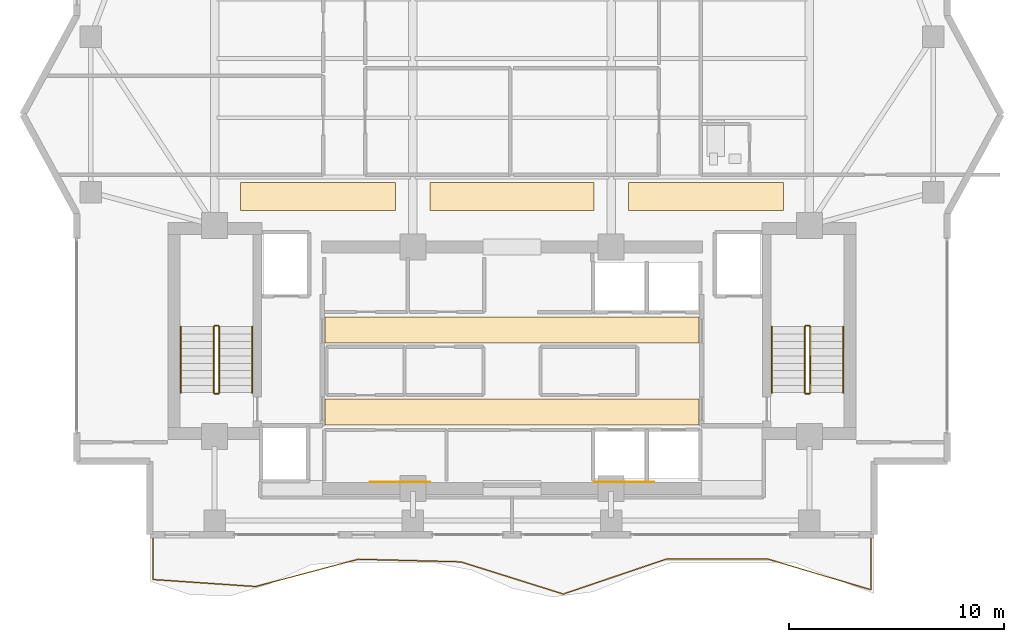
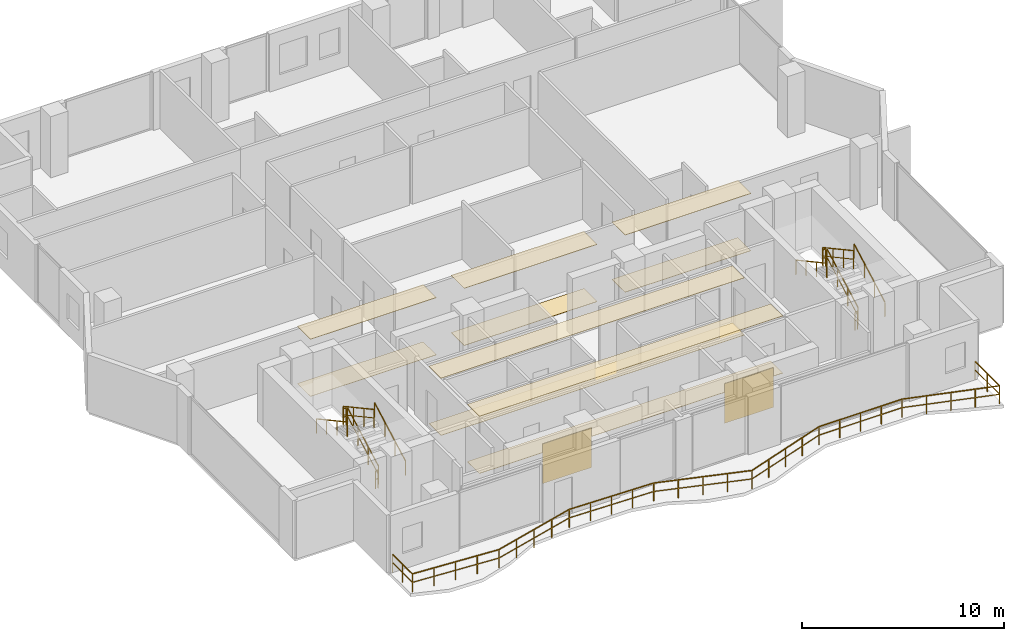
# One storey, part 21 of 23: 13 railings, 12 coverings.
"""IFC4 building model written with IfcOpenShell, lengths in metres."""

from ifc_helpers import new_model, si_unit, direction, frame, origin, origin_2d, place, context, subcontext, project, spatial, polyline, rectangle, outline, extrude, material, layer, layer_set, type_object, element, save


model = new_model("IFC4")

# Units and contexts
model_context = context("Model", 3, precision=1e-05, world=origin(), true_north=direction((0.0, 1.0)))
body_context = subcontext(model_context, "Body", "Model", "MODEL_VIEW")
ifc_project = project(units=[si_unit("LENGTHUNIT", "METRE"), si_unit("AREAUNIT", "SQUARE_METRE"), si_unit("VOLUMEUNIT", "CUBIC_METRE"), si_unit("PLANEANGLEUNIT", "RADIAN"), si_unit("MASSUNIT", "GRAM", prefix="KILO")], contexts=[model_context])

# Site, building, storey
site_placement = place(None, origin())
site = spatial("IfcSite", under=ifc_project, at=site_placement, CompositionType="ELEMENT")
building_placement = place(site_placement, origin())
building = spatial("IfcBuilding", under=site, at=building_placement, Name="Zuhayl Quay Hotel", CompositionType="ELEMENT")
storey_placement = place(building_placement, frame((0.0, 0.0, 265.550048828125)))
storey = spatial("IfcBuildingStorey", under=building, at=storey_placement, Name="L67", CompositionType="ELEMENT", Elevation=265.550048828125)

# Coverings
ifc_material_1 = material(Name="Acoustic Mineral-Fibre Gypsum Board")
ifc_layer_1 = layer(ifc_material_1, 0.02490234375, Name="Acoustic Mineral-Fibre Gypsum Board")
ifc_layer_set_1 = layer_set([ifc_layer_1], Name="Acoustic Mineral-Fibre Gypsum Board")
covering_type_1 = type_object("IfcCoveringType", Name="CV_CEIL_ACOUSTIC", PredefinedType="CEILING", material=ifc_layer_set_1)
covering_1_placement = place(storey_placement, frame((0.0, 0.0, 3.454833984375)))
element("IfcCovering", 1, at=covering_1_placement, inside=storey, type_object=covering_type_1, Name="L67 Suspended Acoustic Lobby Ceiling S", PredefinedType="CEILING", context=body_context, shape_type="SweptSolid", body=[
    extrude(outline(polyline([(-8.679931640625, 5.10009765625), (8.679931640625, 5.10009765625), (8.679931640625, 6.300048828125), (-8.679931640625, 6.300048828125), (-8.679931640625, 5.10009765625)])), origin(), (0.0, 0.0, 1.0), 0.025146484375),
])
covering_2_placement = place(storey_placement, frame((0.0, 0.0, 3.454833984375)))
element("IfcCovering", 2, at=covering_2_placement, inside=storey, type_object=covering_type_1, Name="L67 Suspended Acoustic Lobby Ceiling N", PredefinedType="CEILING", context=body_context, shape_type="SweptSolid", body=[
    extrude(outline(polyline([(-8.679931640625, 8.89990234375), (8.679931640625, 8.89990234375), (8.679931640625, 10.10009765625), (-8.679931640625, 10.10009765625), (-8.679931640625, 8.89990234375)])), origin(), (0.0, 0.0, 1.0), 0.025146484375),
])
covering_3_placement = place(storey_placement, frame((0.0, 0.0, 3.454833984375)))
element("IfcCovering", 3, at=covering_3_placement, inside=storey, type_object=covering_type_1, Name="L67 Guest Corridor Acoustic Ceiling CW", PredefinedType="CEILING", context=body_context, shape_type="SweptSolid", body=[
    extrude(outline(polyline([(-12.60009765625, 15.050048828125), (-5.39990234375, 15.050048828125), (-5.39990234375, 16.35009765625), (-12.60009765625, 16.35009765625), (-12.60009765625, 15.050048828125)])), origin(), (0.0, 0.0, 1.0), 0.025146484375),
])
covering_4_placement = place(storey_placement, frame((0.0, 0.0, 3.454833984375)))
element("IfcCovering", 4, at=covering_4_placement, inside=storey, type_object=covering_type_1, Name="L67 Guest Corridor Acoustic Ceiling CC", PredefinedType="CEILING", context=body_context, shape_type="SweptSolid", body=[
    extrude(outline(polyline([(-3.800048828125, 15.050048828125), (3.800048828125, 15.050048828125), (3.800048828125, 16.35009765625), (-3.800048828125, 16.35009765625), (-3.800048828125, 15.050048828125)])), origin(), (0.0, 0.0, 1.0), 0.025146484375),
])
covering_5_placement = place(storey_placement, frame((0.0, 0.0, 3.454833984375)))
element("IfcCovering", 5, at=covering_5_placement, inside=storey, type_object=covering_type_1, Name="L67 Guest Corridor Acoustic Ceiling CE", PredefinedType="CEILING", context=body_context, shape_type="SweptSolid", body=[
    extrude(outline(polyline([(5.39990234375, 15.050048828125), (12.60009765625, 15.050048828125), (12.60009765625, 16.35009765625), (5.39990234375, 16.35009765625), (5.39990234375, 15.050048828125)])), origin(), (0.0, 0.0, 1.0), 0.025146484375),
])
ifc_material_2 = material(Name="Polished Limestone Terrazzo", Category="masonry")
ifc_layer_2 = layer(ifc_material_2, 0.02001953125, Name="Polished Limestone Terrazzo", Category="masonry")
ifc_layer_set_2 = layer_set([ifc_layer_2], Name="Polished Limestone Terrazzo")
covering_type_2 = type_object("IfcCoveringType", Name="CV_FLOOR_TERRAZZO", PredefinedType="FLOORING", material=ifc_layer_set_2)
covering_6_placement = place(storey_placement, origin())
element("IfcCovering", 6, at=covering_6_placement, inside=storey, type_object=covering_type_2, Name="L67 Honed Limestone Terrazzo Lobby Flooring S", PredefinedType="FLOORING", context=body_context, shape_type="SweptSolid", body=[
    extrude(outline(polyline([(-8.679931640625, 5.10009765625), (8.679931640625, 5.10009765625), (8.679931640625, 6.300048828125), (-8.679931640625, 6.300048828125), (-8.679931640625, 5.10009765625)])), origin(), (0.0, 0.0, 1.0), 0.02001953125),
])
covering_7_placement = place(storey_placement, origin())
element("IfcCovering", 7, at=covering_7_placement, inside=storey, type_object=covering_type_2, Name="L67 Honed Limestone Terrazzo Lobby Flooring N", PredefinedType="FLOORING", context=body_context, shape_type="SweptSolid", body=[
    extrude(outline(polyline([(-8.679931640625, 8.89990234375), (8.679931640625, 8.89990234375), (8.679931640625, 10.10009765625), (-8.679931640625, 10.10009765625), (-8.679931640625, 8.89990234375)])), origin(), (0.0, 0.0, 1.0), 0.02001953125),
])
covering_8_placement = place(storey_placement, origin())
element("IfcCovering", 8, at=covering_8_placement, inside=storey, type_object=covering_type_2, Name="L67 Guest Corridor Terrazzo Runner CW", PredefinedType="FLOORING", context=body_context, shape_type="SweptSolid", body=[
    extrude(outline(polyline([(-12.60009765625, 15.050048828125), (-5.39990234375, 15.050048828125), (-5.39990234375, 16.35009765625), (-12.60009765625, 16.35009765625), (-12.60009765625, 15.050048828125)])), origin(), (0.0, 0.0, 1.0), 0.02001953125),
])
covering_9_placement = place(storey_placement, origin())
element("IfcCovering", 9, at=covering_9_placement, inside=storey, type_object=covering_type_2, Name="L67 Guest Corridor Terrazzo Runner CC", PredefinedType="FLOORING", context=body_context, shape_type="SweptSolid", body=[
    extrude(outline(polyline([(-3.800048828125, 15.050048828125), (3.800048828125, 15.050048828125), (3.800048828125, 16.35009765625), (-3.800048828125, 16.35009765625), (-3.800048828125, 15.050048828125)])), origin(), (0.0, 0.0, 1.0), 0.02001953125),
])
covering_10_placement = place(storey_placement, origin())
element("IfcCovering", 10, at=covering_10_placement, inside=storey, type_object=covering_type_2, Name="L67 Guest Corridor Terrazzo Runner CE", PredefinedType="FLOORING", context=body_context, shape_type="SweptSolid", body=[
    extrude(outline(polyline([(5.39990234375, 15.050048828125), (12.60009765625, 15.050048828125), (12.60009765625, 16.35009765625), (5.39990234375, 16.35009765625), (5.39990234375, 15.050048828125)])), origin(), (0.0, 0.0, 1.0), 0.02001953125),
])
ifc_material_3 = material(Name="Acoustic Walnut Feature Timber", Category="wood")
ifc_layer_3 = layer(ifc_material_3, 0.02197265625, Name="Acoustic Walnut Feature Timber", Category="wood")
ifc_layer_set_3 = layer_set([ifc_layer_3], Name="Acoustic Walnut Feature Timber")
covering_type_3 = type_object("IfcCoveringType", Name="CV_WALL_CLAD", PredefinedType="CLADDING", material=ifc_layer_set_3)
for number, where, z_axis, x_axis, name in (
    (11, (-5.199951171875, 2.43603515625, 0.300048828125), (0.0, 0.0, 1.0), (1.0, 0.0, 0.0), "L67 Feature Lobby Walnut Wall Cladding W"),
    (12, (5.199951171875, 2.43603515625, 0.300048828125), (0.0, 0.0, 1.0), (1.0, 0.0, 0.0), "L67 Feature Lobby Walnut Wall Cladding E"),
):
    element("IfcCovering", number, at=place(storey_placement, frame(where, z_axis=z_axis, x_axis=x_axis)), inside=storey, type_object=covering_type_3, Name=name, PredefinedType="CLADDING", context=body_context, shape_type="SweptSolid", body=[
        extrude(rectangle(XDim=2.800048828125, YDim=0.02197265625, at=origin_2d()), origin(), (0.0, 0.0, 1.0), 2.39990234375),
    ])

# Railings
ifc_material_4 = material(Name="Anodised Aluminium and Laminated Glass", Category="aluminium")
railing_type_1 = type_object("IfcRailingType", Name="RL_EXT_BAL_1100", PredefinedType="BALUSTRADE", material=ifc_material_4)
railing_1_placement = place(storey_placement, frame((-16.659912109375, -0.1201171875, 0.0)))
element("IfcRailing", 13, at=railing_1_placement, inside=storey, type_object=railing_type_1, Name="L67 Balcony and Terrace Guard GR_L67_BAL_S", PredefinedType="BALUSTRADE", context=body_context, shape_type="SweptSolid", body=[
    extrude(rectangle(XDim=0.048095703125, YDim=0.048095703125, at=origin_2d()), frame((0.0, 0.0, 1.09619140625), z_axis=(0.0, -1.0, 0.0), x_axis=(1.0, 0.0, 0.0)), (0.0, 0.0, 1.0), 1.960205078125),
    extrude(rectangle(XDim=0.0361328125, YDim=0.0361328125, at=origin_2d()), frame((0.0, 0.0, 0.58251953125), z_axis=(0.0, -1.0, 0.0), x_axis=(1.0, 0.0, 0.0)), (0.0, 0.0, 1.0), 1.960205078125),
    extrude(rectangle(XDim=0.048095703125, YDim=0.048095703125, at=origin_2d()), frame((0.0, -1.960205078125, 1.09619140625), z_axis=(0.997674449091, -0.068159325342, 0.0), x_axis=(0.068159325342, 0.997674449091, 0.0)), (0.0, 0.0, 1.0), 4.77099609375),
    extrude(rectangle(XDim=0.0361328125, YDim=0.0361328125, at=origin_2d()), frame((0.0, -1.960205078125, 0.58251953125), z_axis=(0.997674449091, -0.068159325342, 0.0), x_axis=(0.068159325342, 0.997674449091, 0.0)), (0.0, 0.0, 1.0), 4.77099609375),
    extrude(rectangle(XDim=0.048095703125, YDim=0.048095703125, at=origin_2d()), frame((4.760009765625, -2.285400390625, 1.09619140625), z_axis=(0.966422259416, 0.256959172837, 0.0), x_axis=(-0.256959172837, 0.966422259416, 0.0)), (0.0, 0.0, 1.0), 4.92529296875),
    extrude(rectangle(XDim=0.0361328125, YDim=0.0361328125, at=origin_2d()), frame((4.760009765625, -2.285400390625, 0.58251953125), z_axis=(0.966422259416, 0.256959172837, 0.0), x_axis=(-0.256959172837, 0.966422259416, 0.0)), (0.0, 0.0, 1.0), 4.92529296875),
    extrude(rectangle(XDim=0.048095703125, YDim=0.048095703125, at=origin_2d()), frame((9.52001953125, -1.019775390625, 1.09619140625), z_axis=(0.9996830499, -0.025175379674, 0.0), x_axis=(0.025175379674, 0.9996830499, 0.0)), (0.0, 0.0, 1.0), 4.761474609375),
    extrude(rectangle(XDim=0.0361328125, YDim=0.0361328125, at=origin_2d()), frame((9.52001953125, -1.019775390625, 0.58251953125), z_axis=(0.9996830499, -0.025175379674, 0.0), x_axis=(0.025175379674, 0.9996830499, 0.0)), (0.0, 0.0, 1.0), 4.761474609375),
    extrude(rectangle(XDim=0.048095703125, YDim=0.048095703125, at=origin_2d()), frame((14.280029296875, -1.1396484375, 1.09619140625), z_axis=(0.954082060765, -0.299545357711, 0.0), x_axis=(0.299545357711, 0.954082060765, 0.0)), (0.0, 0.0, 1.0), 4.98876953125),
    extrude(rectangle(XDim=0.0361328125, YDim=0.0361328125, at=origin_2d()), frame((14.280029296875, -1.1396484375, 0.58251953125), z_axis=(0.954082060765, -0.299545357711, 0.0), x_axis=(0.299545357711, 0.954082060765, 0.0)), (0.0, 0.0, 1.0), 4.98876953125),
    extrude(rectangle(XDim=0.048095703125, YDim=0.048095703125, at=origin_2d()), frame((19.039794921875, -2.634033203125, 1.09619140625), z_axis=(0.947023819089, 0.321163332401, 0.0), x_axis=(-0.321163332401, 0.947023819089, 0.0)), (0.0, 0.0, 1.0), 5.0263671875),
    extrude(rectangle(XDim=0.0361328125, YDim=0.0361328125, at=origin_2d()), frame((19.039794921875, -2.634033203125, 0.58251953125), z_axis=(0.947023819089, 0.321163332401, 0.0), x_axis=(-0.321163332401, 0.947023819089, 0.0)), (0.0, 0.0, 1.0), 5.0263671875),
    extrude(rectangle(XDim=0.048095703125, YDim=0.048095703125, at=origin_2d()), frame((23.7998046875, -1.019775390625, 1.09619140625), z_axis=(1.0, 0.0, 0.0), x_axis=(0.0, 1.0, 0.0)), (0.0, 0.0, 1.0), 4.760009765625),
    extrude(rectangle(XDim=0.0361328125, YDim=0.0361328125, at=origin_2d()), frame((23.7998046875, -1.019775390625, 0.58251953125), z_axis=(1.0, 0.0, 0.0), x_axis=(0.0, 1.0, 0.0)), (0.0, 0.0, 1.0), 4.760009765625),
    extrude(rectangle(XDim=0.048095703125, YDim=0.048095703125, at=origin_2d()), frame((28.559814453125, -1.019775390625, 1.09619140625), z_axis=(0.958447758302, -0.285268110039, 0.0), x_axis=(0.285268110039, 0.958447758302, 0.0)), (0.0, 0.0, 1.0), 4.96630859375),
    extrude(rectangle(XDim=0.0361328125, YDim=0.0361328125, at=origin_2d()), frame((28.559814453125, -1.019775390625, 0.58251953125), z_axis=(0.958447758302, -0.285268110039, 0.0), x_axis=(0.285268110039, 0.958447758302, 0.0)), (0.0, 0.0, 1.0), 4.96630859375),
    extrude(rectangle(XDim=0.048095703125, YDim=0.048095703125, at=origin_2d()), frame((33.31982421875, -2.4365234375, 1.09619140625), z_axis=(0.0, 1.0, 0.0), x_axis=(-1.0, 0.0, 0.0)), (0.0, 0.0, 1.0), 2.4365234375),
    extrude(rectangle(XDim=0.0361328125, YDim=0.0361328125, at=origin_2d()), frame((33.31982421875, -2.4365234375, 0.58251953125), z_axis=(0.0, 1.0, 0.0), x_axis=(-1.0, 0.0, 0.0)), (0.0, 0.0, 1.0), 2.4365234375),
    extrude(rectangle(XDim=0.0419921875, YDim=0.0419921875, at=origin_2d()), origin(), (0.0, 0.0, 1.0), 1.072021484375),
    extrude(rectangle(XDim=0.0419921875, YDim=0.0419921875, at=origin_2d()), frame((0.0, -0.97998046875, 0.0)), (0.0, 0.0, 1.0), 1.072021484375),
    extrude(rectangle(XDim=0.0419921875, YDim=0.0419921875, at=origin_2d()), frame((0.0, -1.960205078125, 0.0)), (0.0, 0.0, 1.0), 1.072021484375),
    extrude(rectangle(XDim=0.0419921875, YDim=0.0419921875, at=origin_2d()), frame((1.18994140625, -2.04150390625, 0.0)), (0.0, 0.0, 1.0), 1.072021484375),
    extrude(rectangle(XDim=0.0419921875, YDim=0.0419921875, at=origin_2d()), frame((2.3798828125, -2.122802734375, 0.0)), (0.0, 0.0, 1.0), 1.072021484375),
    extrude(rectangle(XDim=0.0419921875, YDim=0.0419921875, at=origin_2d()), frame((3.570068359375, -2.2041015625, 0.0)), (0.0, 0.0, 1.0), 1.072021484375),
    extrude(rectangle(XDim=0.0419921875, YDim=0.0419921875, at=origin_2d()), frame((4.760009765625, -2.285400390625, 0.0)), (0.0, 0.0, 1.0), 1.072021484375),
    extrude(rectangle(XDim=0.0419921875, YDim=0.0419921875, at=origin_2d()), frame((5.949951171875, -1.968994140625, 0.0)), (0.0, 0.0, 1.0), 1.072021484375),
    extrude(rectangle(XDim=0.0419921875, YDim=0.0419921875, at=origin_2d()), frame((7.14013671875, -1.652587890625, 0.0)), (0.0, 0.0, 1.0), 1.072021484375),
    extrude(rectangle(XDim=0.0419921875, YDim=0.0419921875, at=origin_2d()), frame((8.330078125, -1.336181640625, 0.0)), (0.0, 0.0, 1.0), 1.072021484375),
    extrude(rectangle(XDim=0.0419921875, YDim=0.0419921875, at=origin_2d()), frame((9.52001953125, -1.019775390625, 0.0)), (0.0, 0.0, 1.0), 1.072021484375),
    extrude(rectangle(XDim=0.0419921875, YDim=0.0419921875, at=origin_2d()), frame((10.7099609375, -1.0498046875, 0.0)), (0.0, 0.0, 1.0), 1.072021484375),
    extrude(rectangle(XDim=0.0419921875, YDim=0.0419921875, at=origin_2d()), frame((11.89990234375, -1.07958984375, 0.0)), (0.0, 0.0, 1.0), 1.072021484375),
    extrude(rectangle(XDim=0.0419921875, YDim=0.0419921875, at=origin_2d()), frame((13.090087890625, -1.109619140625, 0.0)), (0.0, 0.0, 1.0), 1.072021484375),
    extrude(rectangle(XDim=0.0419921875, YDim=0.0419921875, at=origin_2d()), frame((14.280029296875, -1.1396484375, 0.0)), (0.0, 0.0, 1.0), 1.072021484375),
    extrude(rectangle(XDim=0.0419921875, YDim=0.0419921875, at=origin_2d()), frame((15.469970703125, -1.51318359375, 0.0)), (0.0, 0.0, 1.0), 1.072021484375),
    extrude(rectangle(XDim=0.0419921875, YDim=0.0419921875, at=origin_2d()), frame((16.659912109375, -1.88671875, 0.0)), (0.0, 0.0, 1.0), 1.072021484375),
    extrude(rectangle(XDim=0.0419921875, YDim=0.0419921875, at=origin_2d()), frame((17.849853515625, -2.260498046875, 0.0)), (0.0, 0.0, 1.0), 1.072021484375),
    extrude(rectangle(XDim=0.0419921875, YDim=0.0419921875, at=origin_2d()), frame((19.039794921875, -2.634033203125, 0.0)), (0.0, 0.0, 1.0), 1.072021484375),
    extrude(rectangle(XDim=0.0419921875, YDim=0.0419921875, at=origin_2d()), frame((20.229736328125, -2.23046875, 0.0)), (0.0, 0.0, 1.0), 1.072021484375),
    extrude(rectangle(XDim=0.0419921875, YDim=0.0419921875, at=origin_2d()), frame((21.419921875, -1.826904296875, 0.0)), (0.0, 0.0, 1.0), 1.072021484375),
    extrude(rectangle(XDim=0.0419921875, YDim=0.0419921875, at=origin_2d()), frame((22.60986328125, -1.42333984375, 0.0)), (0.0, 0.0, 1.0), 1.072021484375),
    extrude(rectangle(XDim=0.0419921875, YDim=0.0419921875, at=origin_2d()), frame((23.7998046875, -1.019775390625, 0.0)), (0.0, 0.0, 1.0), 1.072021484375),
    extrude(rectangle(XDim=0.0419921875, YDim=0.0419921875, at=origin_2d()), frame((24.98974609375, -1.019775390625, 0.0)), (0.0, 0.0, 1.0), 1.072021484375),
    extrude(rectangle(XDim=0.0419921875, YDim=0.0419921875, at=origin_2d()), frame((26.1796875, -1.019775390625, 0.0)), (0.0, 0.0, 1.0), 1.072021484375),
    extrude(rectangle(XDim=0.0419921875, YDim=0.0419921875, at=origin_2d()), frame((27.369873046875, -1.019775390625, 0.0)), (0.0, 0.0, 1.0), 1.072021484375),
    extrude(rectangle(XDim=0.0419921875, YDim=0.0419921875, at=origin_2d()), frame((28.559814453125, -1.019775390625, 0.0)), (0.0, 0.0, 1.0), 1.072021484375),
    extrude(rectangle(XDim=0.0419921875, YDim=0.0419921875, at=origin_2d()), frame((29.749755859375, -1.3740234375, 0.0)), (0.0, 0.0, 1.0), 1.072021484375),
    extrude(rectangle(XDim=0.0419921875, YDim=0.0419921875, at=origin_2d()), frame((30.93994140625, -1.72802734375, 0.0)), (0.0, 0.0, 1.0), 1.072021484375),
    extrude(rectangle(XDim=0.0419921875, YDim=0.0419921875, at=origin_2d()), frame((32.1298828125, -2.082275390625, 0.0)), (0.0, 0.0, 1.0), 1.072021484375),
    extrude(rectangle(XDim=0.0419921875, YDim=0.0419921875, at=origin_2d()), frame((33.31982421875, -2.4365234375, 0.0)), (0.0, 0.0, 1.0), 1.072021484375),
    extrude(rectangle(XDim=0.0419921875, YDim=0.0419921875, at=origin_2d()), frame((33.31982421875, -1.21826171875, 0.0)), (0.0, 0.0, 1.0), 1.072021484375),
    extrude(rectangle(XDim=0.0419921875, YDim=0.0419921875, at=origin_2d()), frame((33.31982421875, 0.0, 0.0)), (0.0, 0.0, 1.0), 1.072021484375),
])
ifc_material_5 = material(Name="Steel ASTM A992 Grade 50", Category="steel")
railing_type_2 = type_object("IfcRailingType", Name="RL_GUARD_1100", PredefinedType="GUARDRAIL", material=ifc_material_5)
railing_2_placement = place(storey_placement, frame((-13.590087890625, 6.590087890625, 0.18505859375)))
element("IfcRailing", 14, at=railing_2_placement, inside=storey, type_object=railing_type_2, Name="L67 ST1 stair guard 1", PredefinedType="GUARDRAIL", context=body_context, shape_type="SweptSolid", body=[
    extrude(rectangle(XDim=0.048095703125, YDim=0.048095703125, at=origin_2d()), frame((0.0, 0.0, 1.09619140625), z_axis=(0.0, 0.878401316366, 0.477923767358), x_axis=(-1.0, 0.0, 0.0)), (0.0, 0.0, 1.0), 3.4833984375),
    extrude(rectangle(XDim=0.0361328125, YDim=0.0361328125, at=origin_2d()), frame((0.0, 0.0, 0.58251953125), z_axis=(0.0, 0.878401316366, 0.477923767358), x_axis=(-1.0, 0.0, 0.0)), (0.0, 0.0, 1.0), 3.4833984375),
    extrude(rectangle(XDim=0.0419921875, YDim=0.0419921875, at=origin_2d()), origin(), (0.0, 0.0, 1.0), 1.072021484375),
    extrude(rectangle(XDim=0.0419921875, YDim=0.0419921875, at=origin_2d()), frame((0.0, 1.02001953125, 0.554931640625)), (0.0, 0.0, 1.0), 1.072021484375),
    extrude(rectangle(XDim=0.0419921875, YDim=0.0419921875, at=origin_2d()), frame((0.0, 2.039794921875, 1.10986328125)), (0.0, 0.0, 1.0), 1.072021484375),
    extrude(rectangle(XDim=0.0419921875, YDim=0.0419921875, at=origin_2d()), frame((0.0, 3.059814453125, 1.664794921875)), (0.0, 0.0, 1.0), 1.072021484375),
])
railing_3_placement = place(storey_placement, frame((-13.639892578125, 9.699951171875, 1.849853515625)))
element("IfcRailing", 15, at=railing_3_placement, inside=storey, type_object=railing_type_2, Name="L67 ST1 stair guard 2", PredefinedType="GUARDRAIL", context=body_context, shape_type="SweptSolid", body=[
    extrude(rectangle(XDim=0.048095703125, YDim=0.048095703125, at=origin_2d()), frame((0.0, 0.0, 1.09619140625), z_axis=(-1.0, 0.0, 0.0), x_axis=(0.0, -1.0, 0.0)), (0.0, 0.0, 1.0), 0.150146484375),
    extrude(rectangle(XDim=0.0361328125, YDim=0.0361328125, at=origin_2d()), frame((0.0, 0.0, 0.58251953125), z_axis=(-1.0, 0.0, 0.0), x_axis=(0.0, -1.0, 0.0)), (0.0, 0.0, 1.0), 0.150146484375),
    extrude(rectangle(XDim=0.0419921875, YDim=0.0419921875, at=origin_2d()), origin(), (0.0, 0.0, 1.0), 1.072021484375),
    extrude(rectangle(XDim=0.0419921875, YDim=0.0419921875, at=origin_2d()), frame((-0.150146484375, 0.0, 0.0)), (0.0, 0.0, 1.0), 1.072021484375),
])
railing_4_placement = place(storey_placement, frame((-13.840087890625, 9.64990234375, 2.034912109375)))
element("IfcRailing", 16, at=railing_4_placement, inside=storey, type_object=railing_type_2, Name="L67 ST1 stair guard 3", PredefinedType="GUARDRAIL", context=body_context, shape_type="SweptSolid", body=[
    extrude(rectangle(XDim=0.048095703125, YDim=0.048095703125, at=origin_2d()), frame((0.0, 0.0, 1.09619140625), z_axis=(0.0, -0.878371892512, 0.477977843049), x_axis=(1.0, 0.0, 0.0)), (0.0, 0.0, 1.0), 3.4833984375),
    extrude(rectangle(XDim=0.0361328125, YDim=0.0361328125, at=origin_2d()), frame((0.0, 0.0, 0.58251953125), z_axis=(0.0, -0.878371892512, 0.477977843049), x_axis=(1.0, 0.0, 0.0)), (0.0, 0.0, 1.0), 3.4833984375),
    extrude(rectangle(XDim=0.0419921875, YDim=0.0419921875, at=origin_2d()), origin(), (0.0, 0.0, 1.0), 1.072021484375),
    extrude(rectangle(XDim=0.0419921875, YDim=0.0419921875, at=origin_2d()), frame((0.0, -1.02001953125, 0.554931640625)), (0.0, 0.0, 1.0), 1.072021484375),
    extrude(rectangle(XDim=0.0419921875, YDim=0.0419921875, at=origin_2d()), frame((0.0, -2.039794921875, 1.110107421875)), (0.0, 0.0, 1.0), 1.072021484375),
    extrude(rectangle(XDim=0.0419921875, YDim=0.0419921875, at=origin_2d()), frame((0.0, -3.059814453125, 1.6650390625)), (0.0, 0.0, 1.0), 1.072021484375),
])
railing_5_placement = place(storey_placement, frame((-13.639892578125, 6.5400390625, 0.0)))
element("IfcRailing", 17, at=railing_5_placement, inside=storey, type_object=railing_type_2, Name="L67 ST1 stair guard 4", PredefinedType="GUARDRAIL", context=body_context, shape_type="SweptSolid", body=[
    extrude(rectangle(XDim=0.048095703125, YDim=0.048095703125, at=origin_2d()), frame((0.0, 0.0, 1.09619140625), z_axis=(-1.0, 0.0, 0.0), x_axis=(0.0, -1.0, 0.0)), (0.0, 0.0, 1.0), 0.150146484375),
    extrude(rectangle(XDim=0.0361328125, YDim=0.0361328125, at=origin_2d()), frame((0.0, 0.0, 0.58251953125), z_axis=(-1.0, 0.0, 0.0), x_axis=(0.0, -1.0, 0.0)), (0.0, 0.0, 1.0), 0.150146484375),
    extrude(rectangle(XDim=0.0419921875, YDim=0.0419921875, at=origin_2d()), origin(), (0.0, 0.0, 1.0), 1.072021484375),
    extrude(rectangle(XDim=0.0419921875, YDim=0.0419921875, at=origin_2d()), frame((-0.150146484375, 0.0, 0.0)), (0.0, 0.0, 1.0), 1.072021484375),
])
railing_6_placement = place(storey_placement, frame((13.840087890625, 6.590087890625, 0.18505859375)))
element("IfcRailing", 18, at=railing_6_placement, inside=storey, type_object=railing_type_2, Name="L67 ST2 stair guard 1", PredefinedType="GUARDRAIL", context=body_context, shape_type="SweptSolid", body=[
    extrude(rectangle(XDim=0.048095703125, YDim=0.048095703125, at=origin_2d()), frame((0.0, 0.0, 1.09619140625), z_axis=(0.0, 0.878401316366, 0.477923767358), x_axis=(-1.0, 0.0, 0.0)), (0.0, 0.0, 1.0), 3.4833984375),
    extrude(rectangle(XDim=0.0361328125, YDim=0.0361328125, at=origin_2d()), frame((0.0, 0.0, 0.58251953125), z_axis=(0.0, 0.878401316366, 0.477923767358), x_axis=(-1.0, 0.0, 0.0)), (0.0, 0.0, 1.0), 3.4833984375),
    extrude(rectangle(XDim=0.0419921875, YDim=0.0419921875, at=origin_2d()), origin(), (0.0, 0.0, 1.0), 1.072021484375),
    extrude(rectangle(XDim=0.0419921875, YDim=0.0419921875, at=origin_2d()), frame((0.0, 1.02001953125, 0.554931640625)), (0.0, 0.0, 1.0), 1.072021484375),
    extrude(rectangle(XDim=0.0419921875, YDim=0.0419921875, at=origin_2d()), frame((0.0, 2.039794921875, 1.10986328125)), (0.0, 0.0, 1.0), 1.072021484375),
    extrude(rectangle(XDim=0.0419921875, YDim=0.0419921875, at=origin_2d()), frame((0.0, 3.059814453125, 1.664794921875)), (0.0, 0.0, 1.0), 1.072021484375),
])
railing_7_placement = place(storey_placement, frame((13.7900390625, 9.699951171875, 1.849853515625)))
element("IfcRailing", 19, at=railing_7_placement, inside=storey, type_object=railing_type_2, Name="L67 ST2 stair guard 2", PredefinedType="GUARDRAIL", context=body_context, shape_type="SweptSolid", body=[
    extrude(rectangle(XDim=0.048095703125, YDim=0.048095703125, at=origin_2d()), frame((0.0, 0.0, 1.09619140625), z_axis=(-1.0, 0.0, 0.0), x_axis=(0.0, -1.0, 0.0)), (0.0, 0.0, 1.0), 0.150146484375),
    extrude(rectangle(XDim=0.0361328125, YDim=0.0361328125, at=origin_2d()), frame((0.0, 0.0, 0.58251953125), z_axis=(-1.0, 0.0, 0.0), x_axis=(0.0, -1.0, 0.0)), (0.0, 0.0, 1.0), 0.150146484375),
    extrude(rectangle(XDim=0.0419921875, YDim=0.0419921875, at=origin_2d()), origin(), (0.0, 0.0, 1.0), 1.072021484375),
    extrude(rectangle(XDim=0.0419921875, YDim=0.0419921875, at=origin_2d()), frame((-0.150146484375, 0.0, 0.0)), (0.0, 0.0, 1.0), 1.072021484375),
])
railing_8_placement = place(storey_placement, frame((13.590087890625, 9.64990234375, 2.034912109375)))
element("IfcRailing", 20, at=railing_8_placement, inside=storey, type_object=railing_type_2, Name="L67 ST2 stair guard 3", PredefinedType="GUARDRAIL", context=body_context, shape_type="SweptSolid", body=[
    extrude(rectangle(XDim=0.048095703125, YDim=0.048095703125, at=origin_2d()), frame((0.0, 0.0, 1.09619140625), z_axis=(0.0, -0.878371892512, 0.477977843049), x_axis=(1.0, 0.0, 0.0)), (0.0, 0.0, 1.0), 3.4833984375),
    extrude(rectangle(XDim=0.0361328125, YDim=0.0361328125, at=origin_2d()), frame((0.0, 0.0, 0.58251953125), z_axis=(0.0, -0.878371892512, 0.477977843049), x_axis=(1.0, 0.0, 0.0)), (0.0, 0.0, 1.0), 3.4833984375),
    extrude(rectangle(XDim=0.0419921875, YDim=0.0419921875, at=origin_2d()), origin(), (0.0, 0.0, 1.0), 1.072021484375),
    extrude(rectangle(XDim=0.0419921875, YDim=0.0419921875, at=origin_2d()), frame((0.0, -1.02001953125, 0.554931640625)), (0.0, 0.0, 1.0), 1.072021484375),
    extrude(rectangle(XDim=0.0419921875, YDim=0.0419921875, at=origin_2d()), frame((0.0, -2.039794921875, 1.110107421875)), (0.0, 0.0, 1.0), 1.072021484375),
    extrude(rectangle(XDim=0.0419921875, YDim=0.0419921875, at=origin_2d()), frame((0.0, -3.059814453125, 1.6650390625)), (0.0, 0.0, 1.0), 1.072021484375),
])
railing_9_placement = place(storey_placement, frame((13.7900390625, 6.5400390625, 0.0)))
element("IfcRailing", 21, at=railing_9_placement, inside=storey, type_object=railing_type_2, Name="L67 ST2 stair guard 4", PredefinedType="GUARDRAIL", context=body_context, shape_type="SweptSolid", body=[
    extrude(rectangle(XDim=0.048095703125, YDim=0.048095703125, at=origin_2d()), frame((0.0, 0.0, 1.09619140625), z_axis=(-1.0, 0.0, 0.0), x_axis=(0.0, -1.0, 0.0)), (0.0, 0.0, 1.0), 0.150146484375),
    extrude(rectangle(XDim=0.0361328125, YDim=0.0361328125, at=origin_2d()), frame((0.0, 0.0, 0.58251953125), z_axis=(-1.0, 0.0, 0.0), x_axis=(0.0, -1.0, 0.0)), (0.0, 0.0, 1.0), 0.150146484375),
    extrude(rectangle(XDim=0.0419921875, YDim=0.0419921875, at=origin_2d()), origin(), (0.0, 0.0, 1.0), 1.072021484375),
    extrude(rectangle(XDim=0.0419921875, YDim=0.0419921875, at=origin_2d()), frame((-0.150146484375, 0.0, 0.0)), (0.0, 0.0, 1.0), 1.072021484375),
])
railing_type_3 = type_object("IfcRailingType", Name="RL_HANDRAIL_920", PredefinedType="HANDRAIL", material=ifc_material_5)
railing_10_placement = place(storey_placement, frame((-12.050048828125, 6.590087890625, 0.18505859375)))
element("IfcRailing", 22, at=railing_10_placement, inside=storey, type_object=railing_type_3, Name="L67 ST1 stair handrail 1", PredefinedType="HANDRAIL", context=body_context, shape_type="SweptSolid", body=[
    extrude(rectangle(XDim=0.048095703125, YDim=0.048095703125, at=origin_2d()), frame((0.0, 0.0, 0.8759765625), z_axis=(0.0, 0.878401316366, 0.477923767358), x_axis=(-1.0, 0.0, 0.0)), (0.0, 0.0, 1.0), 3.4833984375),
    extrude(rectangle(XDim=0.0419921875, YDim=0.0419921875, at=origin_2d()), origin(), (0.0, 0.0, 1.0), 0.851806640625),
    extrude(rectangle(XDim=0.0419921875, YDim=0.0419921875, at=origin_2d()), frame((0.0, 1.02001953125, 0.554931640625)), (0.0, 0.0, 1.0), 0.851806640625),
    extrude(rectangle(XDim=0.0419921875, YDim=0.0419921875, at=origin_2d()), frame((0.0, 2.039794921875, 1.10986328125)), (0.0, 0.0, 1.0), 0.851806640625),
    extrude(rectangle(XDim=0.0419921875, YDim=0.0419921875, at=origin_2d()), frame((0.0, 3.059814453125, 1.664794921875)), (0.0, 0.0, 1.0), 0.851806640625),
])
railing_11_placement = place(storey_placement, frame((-15.3798828125, 9.64990234375, 2.034912109375)))
element("IfcRailing", 23, at=railing_11_placement, inside=storey, type_object=railing_type_3, Name="L67 ST1 stair handrail 2", PredefinedType="HANDRAIL", context=body_context, shape_type="SweptSolid", body=[
    extrude(rectangle(XDim=0.048095703125, YDim=0.048095703125, at=origin_2d()), frame((0.0, 0.0, 0.8759765625), z_axis=(0.0, -0.878371892512, 0.477977843049), x_axis=(1.0, 0.0, 0.0)), (0.0, 0.0, 1.0), 3.4833984375),
    extrude(rectangle(XDim=0.0419921875, YDim=0.0419921875, at=origin_2d()), origin(), (0.0, 0.0, 1.0), 0.851806640625),
    extrude(rectangle(XDim=0.0419921875, YDim=0.0419921875, at=origin_2d()), frame((0.0, -1.02001953125, 0.554931640625)), (0.0, 0.0, 1.0), 0.851806640625),
    extrude(rectangle(XDim=0.0419921875, YDim=0.0419921875, at=origin_2d()), frame((0.0, -2.039794921875, 1.110107421875)), (0.0, 0.0, 1.0), 0.851806640625),
    extrude(rectangle(XDim=0.0419921875, YDim=0.0419921875, at=origin_2d()), frame((0.0, -3.059814453125, 1.6650390625)), (0.0, 0.0, 1.0), 0.851806640625),
])
railing_12_placement = place(storey_placement, frame((15.3798828125, 6.590087890625, 0.18505859375)))
element("IfcRailing", 24, at=railing_12_placement, inside=storey, type_object=railing_type_3, Name="L67 ST2 stair handrail 1", PredefinedType="HANDRAIL", context=body_context, shape_type="SweptSolid", body=[
    extrude(rectangle(XDim=0.048095703125, YDim=0.048095703125, at=origin_2d()), frame((0.0, 0.0, 0.8759765625), z_axis=(0.0, 0.878401316366, 0.477923767358), x_axis=(-1.0, 0.0, 0.0)), (0.0, 0.0, 1.0), 3.4833984375),
    extrude(rectangle(XDim=0.0419921875, YDim=0.0419921875, at=origin_2d()), origin(), (0.0, 0.0, 1.0), 0.851806640625),
    extrude(rectangle(XDim=0.0419921875, YDim=0.0419921875, at=origin_2d()), frame((0.0, 1.02001953125, 0.554931640625)), (0.0, 0.0, 1.0), 0.851806640625),
    extrude(rectangle(XDim=0.0419921875, YDim=0.0419921875, at=origin_2d()), frame((0.0, 2.039794921875, 1.10986328125)), (0.0, 0.0, 1.0), 0.851806640625),
    extrude(rectangle(XDim=0.0419921875, YDim=0.0419921875, at=origin_2d()), frame((0.0, 3.059814453125, 1.664794921875)), (0.0, 0.0, 1.0), 0.851806640625),
])
railing_13_placement = place(storey_placement, frame((12.050048828125, 9.64990234375, 2.034912109375)))
element("IfcRailing", 25, at=railing_13_placement, inside=storey, type_object=railing_type_3, Name="L67 ST2 stair handrail 2", PredefinedType="HANDRAIL", context=body_context, shape_type="SweptSolid", body=[
    extrude(rectangle(XDim=0.048095703125, YDim=0.048095703125, at=origin_2d()), frame((0.0, 0.0, 0.8759765625), z_axis=(0.0, -0.878371892512, 0.477977843049), x_axis=(1.0, 0.0, 0.0)), (0.0, 0.0, 1.0), 3.4833984375),
    extrude(rectangle(XDim=0.0419921875, YDim=0.0419921875, at=origin_2d()), origin(), (0.0, 0.0, 1.0), 0.851806640625),
    extrude(rectangle(XDim=0.0419921875, YDim=0.0419921875, at=origin_2d()), frame((0.0, -1.02001953125, 0.554931640625)), (0.0, 0.0, 1.0), 0.851806640625),
    extrude(rectangle(XDim=0.0419921875, YDim=0.0419921875, at=origin_2d()), frame((0.0, -2.039794921875, 1.110107421875)), (0.0, 0.0, 1.0), 0.851806640625),
    extrude(rectangle(XDim=0.0419921875, YDim=0.0419921875, at=origin_2d()), frame((0.0, -3.059814453125, 1.6650390625)), (0.0, 0.0, 1.0), 0.851806640625),
])

save(model, "model.ifc")
